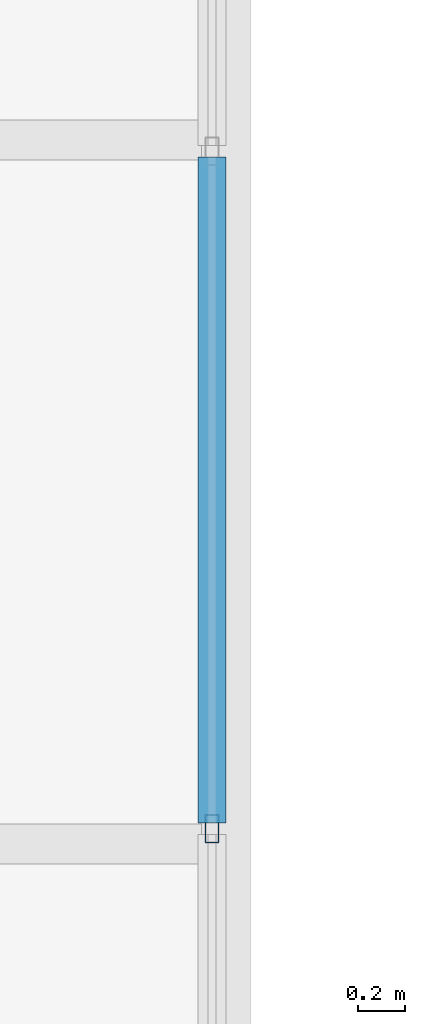
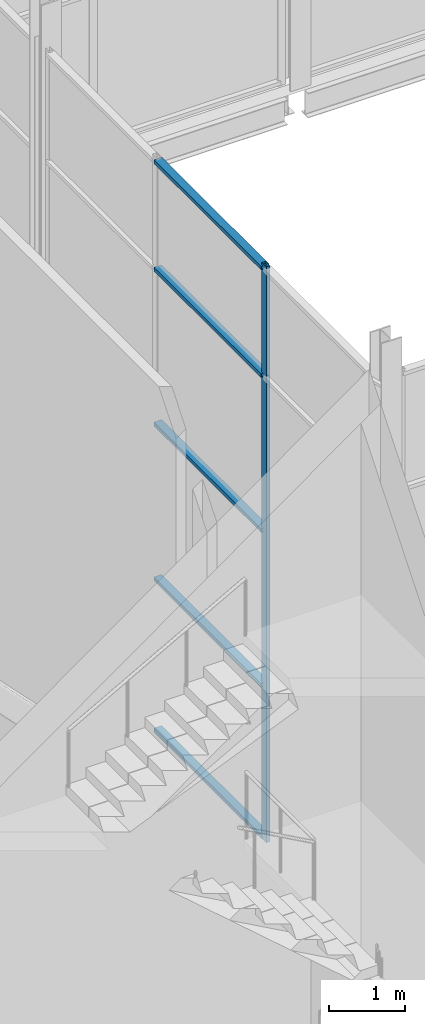
# One storey, part 32 of 111: 6 members, 1 element without a shape of its own.
"""IFC4 building model written with IfcOpenShell, lengths in metres."""

from ifc_helpers import new_model, si_unit, direction, frame, origin, origin_2d, place, context, subcontext, project, spatial, hollow_rectangle, extrude, material, layer, layer_set, material_profile, profile_set, type_object, element, aggregate, save


model = new_model("IFC4")

# Units and contexts
model_context = context("Model", 3, precision=1e-05, world=origin(), true_north=direction((0.0, 1.0)))
body_context = subcontext(model_context, "Body", "Model", "MODEL_VIEW")
ifc_project = project(units=[si_unit("LENGTHUNIT", "METRE"), si_unit("AREAUNIT", "SQUARE_METRE"), si_unit("VOLUMEUNIT", "CUBIC_METRE"), si_unit("PLANEANGLEUNIT", "RADIAN"), si_unit("MASSUNIT", "GRAM", prefix="KILO")], contexts=[model_context])

# Site, building, storey
site_placement = place(None, origin())
site = spatial("IfcSite", under=ifc_project, at=site_placement, CompositionType="ELEMENT")
building_placement = place(site_placement, origin())
building = spatial("IfcBuilding", under=site, at=building_placement, Name="Shorebreak Coast Museum", CompositionType="ELEMENT")
storey_placement = place(building_placement, frame((0.0, 0.0, 16.0)))
storey = spatial("IfcBuildingStorey", under=building, at=storey_placement, Name="L03", CompositionType="ELEMENT", Elevation=16.0)

# Curtain wall, members
ifc_material_1 = material(Name="Aluminium", Category="aluminium")
ifc_layer = layer(ifc_material_1, 0.1201171875)
ifc_layer_set = layer_set([ifc_layer], Name="Aluminium")
curtain_wall_type = type_object("IfcCurtainWallType", Name="Atrium fire screen", PredefinedType="NOTDEFINED", material=ifc_layer_set)
curtain_wall_placement = place(storey_placement, origin())
curtain_wall = element("IfcCurtainWall", 1, at=curtain_wall_placement, inside=storey, type_object=curtain_wall_type, Name="Atrium screen L03 W 45", PredefinedType="NOTDEFINED")
ifc_material_2 = material(Name="Aluminium", Category="aluminium")
ifc_material_profile_1 = material_profile(ifc_material_2, hollow_rectangle(XDim=0.06005859375, YDim=0.1201171875, WallThickness=0.00341796875, at=origin_2d()), Name="AL 120x60 RHS")
ifc_profile_set_1 = profile_set([ifc_material_profile_1], Name="Aluminium")
member_type_1 = type_object("IfcMemberType", Name="Screen mullion 50 x 120", PredefinedType="MULLION", material=ifc_profile_set_1)
member_1_placement = place(storey_placement, frame((62.93994140625, 66.0654296875, 0.0), z_axis=(0.0, 0.0, 1.0), x_axis=(-1.0, 0.0, 0.0)))
member_1 = element("IfcMember", 2, at=member_1_placement, type_object=member_type_1, Name="CW4 mullion 2", PredefinedType="MULLION", context=body_context, shape_type="SweptSolid", body=[
    extrude(hollow_rectangle(XDim=0.06005859375, YDim=0.1201171875, WallThickness=0.00341796875, at=origin_2d()), origin(), (0.0, 0.0, 1.0), 9.296875),
])
ifc_material_3 = material(Name="Aluminium", Category="aluminium")
ifc_material_profile_2 = material_profile(ifc_material_3, hollow_rectangle(XDim=0.1201171875, YDim=0.06005859375, WallThickness=0.00341796875, at=origin_2d()), Name="AL 60x120 RHS")
ifc_profile_set_2 = profile_set([ifc_material_profile_2], Name="Aluminium")
member_type_2 = type_object("IfcMemberType", Name="Screen transom 120 x 50", PredefinedType="USERDEFINED", material=ifc_profile_set_2)
member_2_placement = place(storey_placement, frame((62.93994140625, 66.09033203125, 0.06005859375), z_axis=(0.0, 1.0, 0.0), x_axis=(-1.0, 0.0, 0.0)))
member_2 = element("IfcMember", 3, at=member_2_placement, type_object=member_type_2, Name="CW4 transom 2.1", ObjectType="TRANSOM", PredefinedType="USERDEFINED", context=body_context, shape_type="SweptSolid", body=[
    extrude(hollow_rectangle(XDim=0.1201171875, YDim=0.06005859375, WallThickness=0.00341796875, at=origin_2d()), origin(), (0.0, 0.0, 1.0), 2.837158203125),
])
member_3_placement = place(storey_placement, frame((62.93994140625, 66.09033203125, 2.5), z_axis=(0.0, 1.0, 0.0), x_axis=(-1.0, 0.0, 0.0)))
member_3 = element("IfcMember", 4, at=member_3_placement, type_object=member_type_2, Name="CW4 transom 2.2", ObjectType="TRANSOM", PredefinedType="USERDEFINED", context=body_context, shape_type="SweptSolid", body=[
    extrude(hollow_rectangle(XDim=0.1201171875, YDim=0.06005859375, WallThickness=0.00341796875, at=origin_2d()), origin(), (0.0, 0.0, 1.0), 2.837158203125),
])
member_4_placement = place(storey_placement, frame((62.93994140625, 66.09033203125, 5.0), z_axis=(0.0, 1.0, 0.0), x_axis=(-1.0, 0.0, 0.0)))
member_4 = element("IfcMember", 5, at=member_4_placement, type_object=member_type_2, Name="CW4 transom 2.3", ObjectType="TRANSOM", PredefinedType="USERDEFINED", context=body_context, shape_type="SweptSolid", body=[
    extrude(hollow_rectangle(XDim=0.1201171875, YDim=0.06005859375, WallThickness=0.00341796875, at=origin_2d()), origin(), (0.0, 0.0, 1.0), 2.837158203125),
])
member_5_placement = place(storey_placement, frame((62.93994140625, 66.09033203125, 7.5), z_axis=(0.0, 1.0, 0.0), x_axis=(-1.0, 0.0, 0.0)))
member_5 = element("IfcMember", 6, at=member_5_placement, type_object=member_type_2, Name="CW4 transom 2.4", ObjectType="TRANSOM", PredefinedType="USERDEFINED", context=body_context, shape_type="SweptSolid", body=[
    extrude(hollow_rectangle(XDim=0.1201171875, YDim=0.06005859375, WallThickness=0.00341796875, at=origin_2d()), origin(), (0.0, 0.0, 1.0), 2.837158203125),
])
member_6_placement = place(storey_placement, frame((62.93994140625, 66.09033203125, 9.23681640625), z_axis=(0.0, 1.0, 0.0), x_axis=(-1.0, 0.0, 0.0)))
member_6 = element("IfcMember", 7, at=member_6_placement, type_object=member_type_2, Name="CW4 transom 2.5", ObjectType="TRANSOM", PredefinedType="USERDEFINED", context=body_context, shape_type="SweptSolid", body=[
    extrude(hollow_rectangle(XDim=0.1201171875, YDim=0.06005859375, WallThickness=0.00341796875, at=origin_2d()), origin(), (0.0, 0.0, 1.0), 2.837158203125),
])
aggregate(curtain_wall, [member_1, member_2, member_3, member_4, member_5, member_6])

save(model, "model.ifc")
